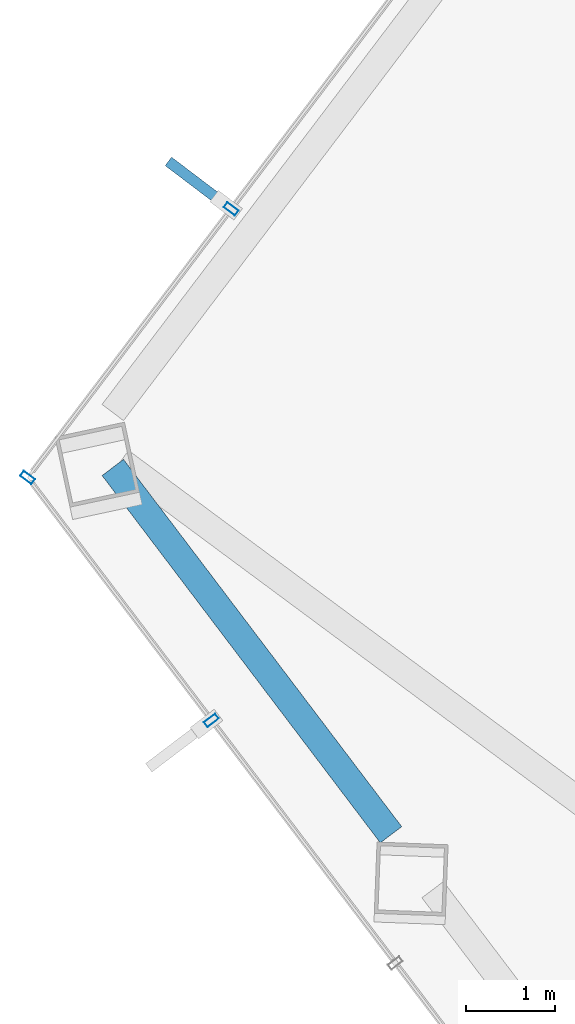
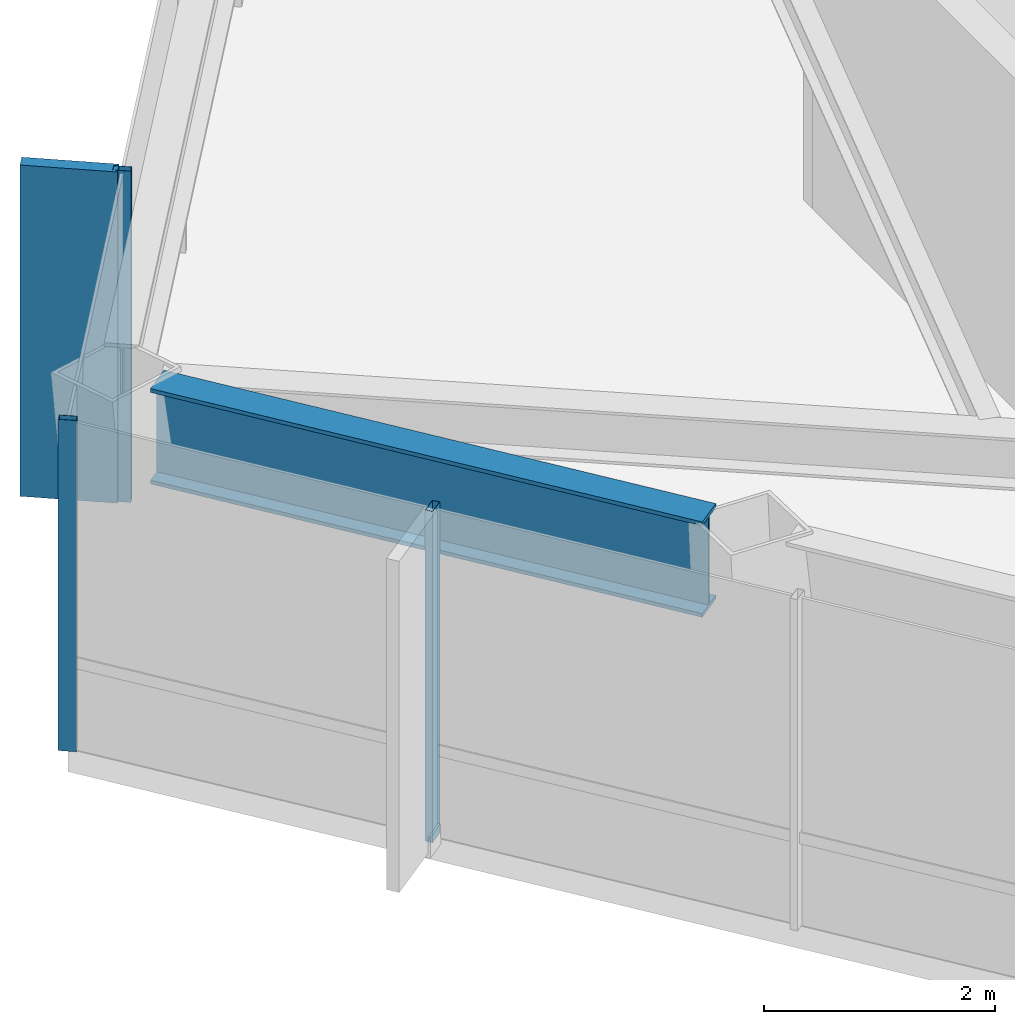
# One storey, part 10 of 29: 4 members, 1 beam, 2 elements without a shape of their own.
"""IFC4 building model written with IfcOpenShell, lengths in metres."""

from ifc_helpers import new_model, si_unit, direction, frame, origin, origin_2d, place, context, subcontext, project, spatial, rectangle, hollow_rectangle, i_section, extrude, material, layer, layer_set, material_profile, profile_set, type_object, element, aggregate, save


model = new_model("IFC4")

# Units and contexts
model_context = context("Model", 3, precision=1e-05, world=origin(), true_north=direction((0.0, 1.0)))
body_context = subcontext(model_context, "Body", "Model", "MODEL_VIEW")
ifc_project = project(units=[si_unit("LENGTHUNIT", "METRE"), si_unit("AREAUNIT", "SQUARE_METRE"), si_unit("VOLUMEUNIT", "CUBIC_METRE"), si_unit("PLANEANGLEUNIT", "RADIAN"), si_unit("MASSUNIT", "GRAM", prefix="KILO")], contexts=[model_context])

# Site, building, storey
site_placement = place(None, origin())
site = spatial("IfcSite", under=ifc_project, at=site_placement, CompositionType="ELEMENT")
building_placement = place(site_placement, origin())
building = spatial("IfcBuilding", under=site, at=building_placement, Name="Zarrinselat Tower", CompositionType="ELEMENT")
storey_placement = place(building_placement, frame((0.0, 0.0, 142.1201171875)))
storey = spatial("IfcBuildingStorey", under=building, at=storey_placement, Name="L34", CompositionType="ELEMENT", Elevation=142.1201171875)

# Beam
ifc_material_1 = material(Name="Steel S460M", Category="steel")
ifc_material_profile_1 = material_profile(ifc_material_1, i_section(OverallWidth=0.302001953125, OverallDepth=1.008056640625, WebThickness=0.02099609375, FlangeThickness=0.0400390625, at=origin_2d()), Name="HEM 1000")
ifc_profile_set_1 = profile_set([ifc_material_profile_1], Name="Steel S460M")
beam_type = type_object("IfcBeamType", Name="BM-HEM1000", PredefinedType="BEAM", material=ifc_profile_set_1)
beam_placement = place(storey_placement, frame((16.381591796875, 37.174072265625, 2.995849609375), z_axis=(0.603828671102, -0.797114129818, 0.0), x_axis=(0.797114129818, 0.603828671102, 0.0)))
element("IfcBeam", 1, at=beam_placement, inside=storey, type_object=beam_type, Name="L34 Perimeter Spandrel Girder SP06", PredefinedType="BEAM", context=body_context, shape_type="SweptSolid", body=[
    extrude(i_section(OverallWidth=0.302001953125, OverallDepth=1.008056640625, WebThickness=0.02099609375, FlangeThickness=0.0400390625, at=origin_2d()), origin(), (0.0, 0.0, 1.0), 5.183837890625),
])

# Curtain wall, members
ifc_material_2 = material(Name="Extruded Aluminium Alloy EN AW-6063 T6", Category="aluminium")
ifc_layer = layer(ifc_material_2, 0.175048828125)
ifc_layer_set = layer_set([ifc_layer], Name="Extruded Aluminium Alloy EN AW-6063 T6")
curtain_wall_type = type_object("IfcCurtainWallType", Name="CWS-HTL", PredefinedType="NOTDEFINED", material=ifc_layer_set)
curtain_wall_1_placement = place(storey_placement, origin())
curtain_wall_1 = element("IfcCurtainWall", 2, at=curtain_wall_1_placement, inside=storey, type_object=curtain_wall_type, Name="L34 Unitised Curtain Wall CW-L34-E02", PredefinedType="NOTDEFINED")
ifc_material_3 = material(Name="Extruded Aluminium Alloy EN AW-6063 T6", Category="aluminium")
ifc_material_profile_2 = material_profile(ifc_material_3, hollow_rectangle(XDim=0.070068359375, YDim=0.159912109375, WallThickness=0.00390625, at=origin_2d()), Name="RHS 160x70x4")
ifc_profile_set_2 = profile_set([ifc_material_profile_2], Name="Extruded Aluminium Alloy EN AW-6063 T6")
member_type_1 = type_object("IfcMemberType", Name="MEM-CW-MUL2", PredefinedType="MULLION", material=ifc_profile_set_2)
member_1_placement = place(storey_placement, frame((17.712158203125, 40.082763671875, 0.0), z_axis=(0.0, 0.0, 1.0), x_axis=(-0.603859211262, -0.797090994162, 0.0)))
member_1 = element("IfcMember", 3, at=member_1_placement, type_object=member_type_1, Name="CW-L34-E02 Mullion 3", PredefinedType="MULLION", context=body_context, shape_type="SweptSolid", body=[
    extrude(hollow_rectangle(XDim=0.070068359375, YDim=0.159912109375, WallThickness=0.00390625, at=origin_2d()), origin(), (0.0, 0.0, 1.0), 3.5),
])
member_2_placement = place(storey_placement, frame((15.422607421875, 37.060302734375, 0.0), z_axis=(0.0, 0.0, 1.0), x_axis=(-0.603859211262, -0.797090994162, 0.0)))
member_2 = element("IfcMember", 4, at=member_2_placement, type_object=member_type_1, Name="CW-L34-E02 Mullion 4", PredefinedType="MULLION", context=body_context, shape_type="SweptSolid", body=[
    extrude(hollow_rectangle(XDim=0.070068359375, YDim=0.159912109375, WallThickness=0.00390625, at=origin_2d()), origin(), (0.0, 0.0, 1.0), 3.5),
])

# Curtain wall, member
curtain_wall_2_placement = place(storey_placement, origin())
curtain_wall_2 = element("IfcCurtainWall", 5, at=curtain_wall_2_placement, inside=storey, type_object=curtain_wall_type, Name="L34 Unitised Curtain Wall CW-L34-E03", PredefinedType="NOTDEFINED")
member_3_placement = place(storey_placement, frame((17.4912109375, 34.32958984375, 0.0), z_axis=(0.0, 0.0, 1.0), x_axis=(0.603855520216, -0.797093790407, 0.0)))
member_3 = element("IfcMember", 6, at=member_3_placement, type_object=member_type_1, Name="CW-L34-E03 Mullion 1", PredefinedType="MULLION", context=body_context, shape_type="SweptSolid", body=[
    extrude(hollow_rectangle(XDim=0.070068359375, YDim=0.159912109375, WallThickness=0.00390625, at=origin_2d()), origin(), (0.0, 0.0, 1.0), 3.5),
])
aggregate(curtain_wall_2, [member_3])

# Member
ifc_material_4 = material(Name="Honed Cream Travertine Stone", Category="masonry")
ifc_material_profile_3 = material_profile(ifc_material_4, rectangle(XDim=0.1201171875, YDim=0.85009765625, at=origin_2d()), Name="FIN 850x120")
ifc_profile_set_3 = profile_set([ifc_material_profile_3], Name="Honed Cream Travertine Stone")
member_type_2 = type_object("IfcMemberType", Name="MEM-STONE-FIN", PredefinedType="USERDEFINED", material=ifc_profile_set_3)
member_4_placement = place(storey_placement, frame((17.345458984375, 40.360595703125, 0.0), z_axis=(0.0, 0.0, 1.0), x_axis=(0.603859211262, 0.797090994162, 0.0)))
member_4 = element("IfcMember", 7, at=member_4_placement, type_object=member_type_2, Name="L34 Stone Shading Fin CW-L34-E02-03", ObjectType="FIN", PredefinedType="USERDEFINED", context=body_context, shape_type="SweptSolid", body=[
    extrude(rectangle(XDim=0.1201171875, YDim=0.85009765625, at=origin_2d()), origin(), (0.0, 0.0, 1.0), 3.5),
])

aggregate(curtain_wall_1, [member_1, member_4, member_2])

save(model, "model.ifc")
